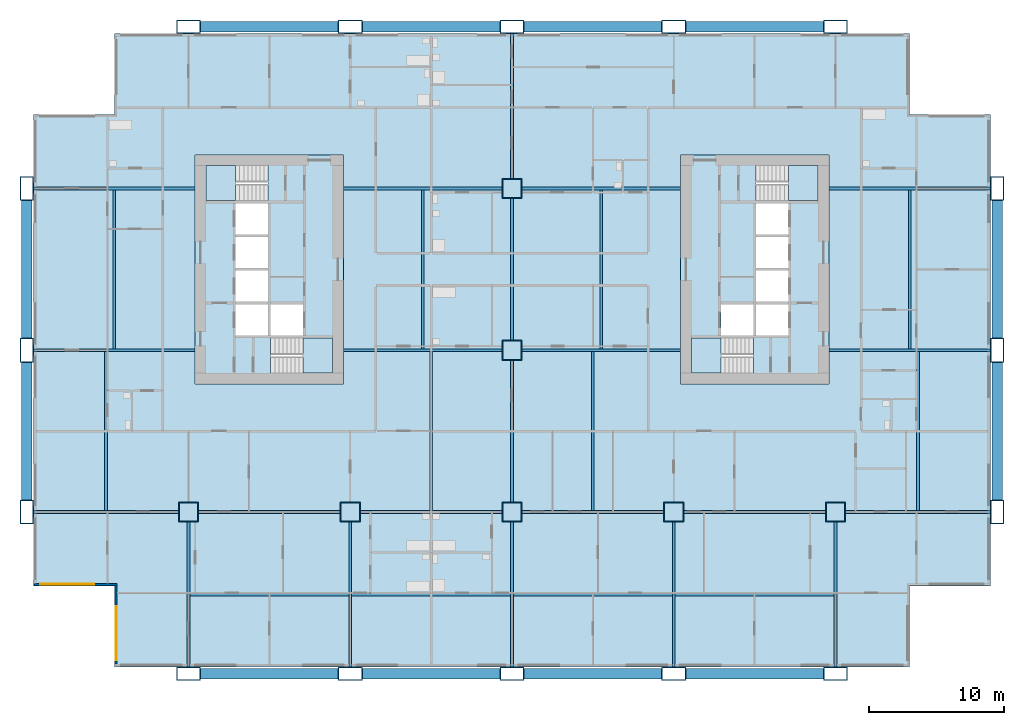
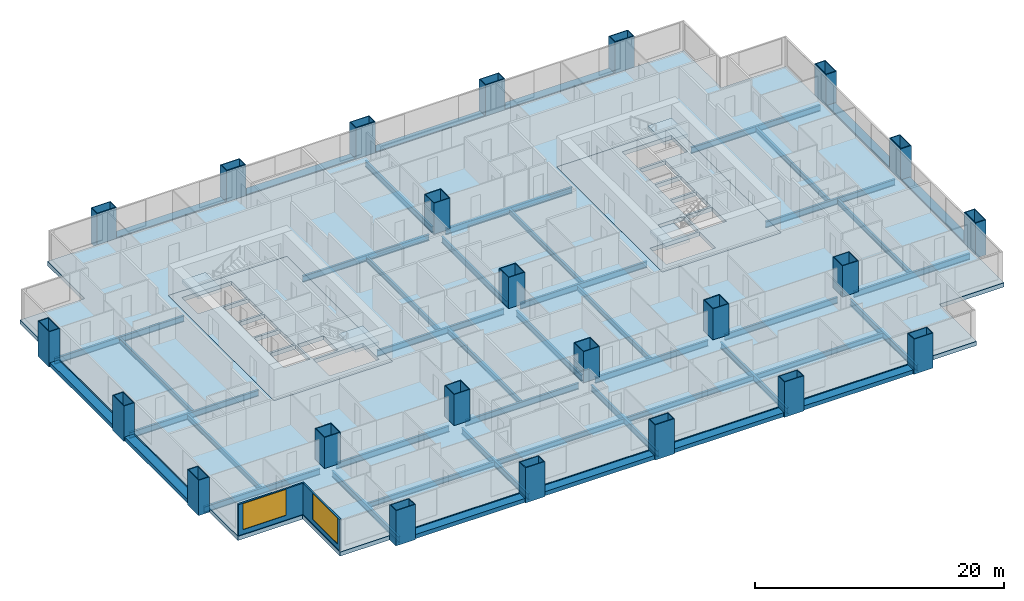
# One storey, part 1 of 13: 46 beams, 23 columns, 7 slabs, 2 walls, 2 windows, 2 openings, 4 elements without a shape of their own.
"""IFC4 building model written with IfcOpenShell, lengths in metres."""

import ifcopenshell
import ifcopenshell.guid

model = None  # the IFC model being written
_history = None  # IfcOwnerHistory: only IFC2X3 demands one
_inside = {}  # id of a spatial element -> (the spatial element, [elements in it])
_under = {}  # id of a project, library or spatial element -> (it, [spatial elements below it])
_declared = {}  # id of a project -> (the project, [libraries it declares])
_typed = {}  # id of a type object -> (the type object, [elements of that type])
_made_of = {}  # id of a material, layer set ... -> (it, [elements and type objects made of it])


def new_model(schema):
    """Start an empty IFC model of exactly this schema.

    Asked for "IFC4X3", IfcOpenShell would pick the latest addendum, in which some entities
    have other attributes; the version numbers below select the first issue.
    IFC2X3 requires an IfcOwnerHistory on every rooted entity: one is made here for all.
    """
    global model, _history
    if schema == "IFC4X3":
        model = ifcopenshell.file(schema_version=(4, 3, 0, 0))
    else:
        model = ifcopenshell.file(schema=schema)
    _inside.clear()
    _under.clear()
    _declared.clear()
    _typed.clear()
    _made_of.clear()
    _history = None
    if model.schema == "IFC2X3":
        org = make("IfcOrganization", Name="unknown")
        user = make(
            "IfcPersonAndOrganization",
            ThePerson=make("IfcPerson", FamilyName="unknown"),
            TheOrganization=org,
        )
        app = make(
            "IfcApplication",
            ApplicationDeveloper=org,
            Version="unknown",
            ApplicationFullName="unknown",
            ApplicationIdentifier="unknown",
        )
        _history = make(
            "IfcOwnerHistory",
            OwningUser=user,
            OwningApplication=app,
            ChangeAction="ADDED",
            CreationDate=0,
        )
    return model


def make(cls, **values):
    """One entity of the class cls with the attributes given. An attribute that is None is left unset."""
    return model.create_entity(
        cls, **{name: value for name, value in values.items() if value is not None}
    )


def rooted(cls, **values):
    """An entity with a GlobalId (a new one), such as an element, a storey or a relation."""
    return make(cls, GlobalId=ifcopenshell.guid.new(), OwnerHistory=_history, **values)


def si_unit(unit_type, name, prefix=None):
    """IfcSIUnit, for example si_unit("LENGTHUNIT", "METRE", prefix="MILLI")."""
    return make("IfcSIUnit", UnitType=unit_type, Prefix=prefix, Name=name)


def assignment(units):
    """IfcUnitAssignment: the units of a project."""
    return None if units is None else make("IfcUnitAssignment", Units=units)


def point(xyz):
    """IfcCartesianPoint."""
    return None if xyz is None else make("IfcCartesianPoint", Coordinates=xyz)


def direction(xyz):
    """IfcDirection."""
    return None if xyz is None else make("IfcDirection", DirectionRatios=xyz)


def frame(location, z_axis=None, x_axis=None):
    """IfcAxis2Placement3D, a coordinate frame: its origin and axes. An axis left out is left unset."""
    return make(
        "IfcAxis2Placement3D",
        Location=point(location),
        Axis=direction(z_axis),
        RefDirection=direction(x_axis),
    )


def frame_2d(location, x_axis=None):
    """IfcAxis2Placement2D, a coordinate frame in the plane: its origin and x axis."""
    return make(
        "IfcAxis2Placement2D", Location=point(location), RefDirection=direction(x_axis)
    )


def origin():
    """The frame at (0, 0, 0) with its axes left unset."""
    return frame((0.0, 0.0, 0.0))


def origin_2d():
    """The frame at (0, 0) in the plane with its x axis left unset."""
    return frame_2d((0.0, 0.0))


def place(relative_to, where):
    """IfcLocalPlacement: puts the frame where relative to a parent placement (None: the world)."""
    return make(
        "IfcLocalPlacement", PlacementRelTo=relative_to, RelativePlacement=where
    )


def context(
    kind, dimensions, precision=None, world=None, true_north=None, identifier=None
):
    """IfcGeometricRepresentationContext, for example the 3D "Model" context."""
    return make(
        "IfcGeometricRepresentationContext",
        ContextIdentifier=identifier,
        ContextType=kind,
        CoordinateSpaceDimension=dimensions,
        Precision=precision,
        WorldCoordinateSystem=world,
        TrueNorth=true_north,
    )


def subcontext(parent, identifier, kind, view, scale=None):
    """IfcGeometricRepresentationSubContext, for example "Body" below "Model"."""
    return make(
        "IfcGeometricRepresentationSubContext",
        ContextIdentifier=identifier,
        ContextType=kind,
        ParentContext=parent,
        TargetScale=scale,
        TargetView=view,
    )


def project(units=None, contexts=None):
    """IfcProject with its units and contexts."""
    return rooted(
        "IfcProject",
        Name="project",
        RepresentationContexts=contexts,
        UnitsInContext=assignment(units),
    )


def spatial(cls, under=None, at=None, **own):
    """A site, building, storey or space (cls), placed at a placement, below another one or the project."""
    s = rooted(cls, ObjectPlacement=at, **own)
    if under is not None:
        _under.setdefault(under.id(), (under, []))[1].append(s)
    return s


def polyline(points):
    """IfcPolyline through the points."""
    return make("IfcPolyline", Points=[point(p) for p in points])


def profile(cls, at=None, kind="AREA", **sizes):
    """A parametric profile (cls). Its sizes go by their IFC names, for example OverallWidth=200.0."""
    return make(cls, ProfileType=kind, Position=at, **sizes)


def rectangle(**sizes):
    """IfcRectangleProfileDef."""
    return profile("IfcRectangleProfileDef", **sizes)


def hollow_rectangle(**sizes):
    """IfcRectangleHollowProfileDef."""
    return profile("IfcRectangleHollowProfileDef", **sizes)


def i_section(**sizes):
    """IfcIShapeProfileDef."""
    return profile("IfcIShapeProfileDef", **sizes)


def outline(outer, holes=None, kind="AREA"):
    """IfcArbitraryClosedProfileDef: a profile drawn as a closed curve; with holes, ...WithVoids."""
    if holes is None:
        return make("IfcArbitraryClosedProfileDef", ProfileType=kind, OuterCurve=outer)
    return make(
        "IfcArbitraryProfileDefWithVoids",
        ProfileType=kind,
        OuterCurve=outer,
        InnerCurves=holes,
    )


def extrude(swept, where, along, depth):
    """IfcExtrudedAreaSolid: the profile swept, set in the frame where, extruded along a direction by depth."""
    return make(
        "IfcExtrudedAreaSolid",
        SweptArea=swept,
        Position=where,
        ExtrudedDirection=direction(along),
        Depth=depth,
    )


def shape(context_of_items, identifier, shape_type, items):
    """IfcShapeRepresentation: the items that make up one representation, for example the "Body"."""
    return make(
        "IfcShapeRepresentation",
        ContextOfItems=context_of_items,
        RepresentationIdentifier=identifier,
        RepresentationType=shape_type,
        Items=items,
    )


def material(Name=None, Category=None):
    """IfcMaterial."""
    return make("IfcMaterial", Name=Name, Category=Category)


def layer(
    of_material, thickness, ventilated=None, Name=None, Category=None, Priority=None
):
    """IfcMaterialLayer: one layer of a wall or slab, of a material (None: an air gap)."""
    return make(
        "IfcMaterialLayer",
        Material=of_material,
        LayerThickness=thickness,
        IsVentilated=ventilated,
        Name=Name,
        Category=Category,
        Priority=Priority,
    )


def layer_set(layers, Name=None):
    """IfcMaterialLayerSet."""
    return make("IfcMaterialLayerSet", MaterialLayers=layers, LayerSetName=Name)


def material_profile(
    of_material, cross_section, Name=None, Category=None, Priority=None
):
    """IfcMaterialProfile: a cross section and its material."""
    return make(
        "IfcMaterialProfile",
        Name=Name,
        Material=of_material,
        Profile=cross_section,
        Priority=Priority,
        Category=Category,
    )


def profile_set(profiles, Name=None, composite=None):
    """IfcMaterialProfileSet."""
    return make(
        "IfcMaterialProfileSet",
        Name=Name,
        MaterialProfiles=profiles,
        CompositeProfile=composite,
    )


def made_of(thing, what):
    """Note that an element or type object is made of a material, layer set ...; save() writes the relation."""
    if what is not None:
        _made_of.setdefault(what.id(), (what, []))[1].append(thing)
    return thing


def type_object(cls, material=None, **own):
    """A type object (cls), such as IfcWallType, which elements share."""
    return made_of(rooted(cls, **own), material)


def element(
    cls,
    number,
    at=None,
    inside=None,
    cuts=None,
    type_object=None,
    material=None,
    context=None,
    identifier="Body",
    shape_type=None,
    held_by="IfcProductDefinitionShape",
    body=None,
    shapes=None,
    **own,
):
    """One element of the class cls, such as IfcWall. Its Tag is "e" and its number.

    at: its placement. inside: the storey or other place that contains it. cuts: it is an
    opening in that element (IfcRelVoidsElement). A single representation is given by context,
    identifier, shape_type and body (its items); several are given by shapes. held_by: the class
    of the entity that holds the representations. save() writes the other relations.
    """
    e = rooted(cls, Tag="e%d" % number, ObjectPlacement=at, **own)
    if body is not None:
        shapes = [shape(context, identifier, shape_type, body)]
    if shapes is not None:
        e.Representation = make(held_by, Representations=shapes)
    if inside is not None:
        _inside.setdefault(inside.id(), (inside, []))[1].append(e)
    if cuts is not None:
        rooted(
            "IfcRelVoidsElement", RelatingBuildingElement=cuts, RelatedOpeningElement=e
        )
    if type_object is not None:
        _typed.setdefault(type_object.id(), (type_object, []))[1].append(e)
    return made_of(e, material)


def fill(opening, filler):
    """IfcRelFillsElement: the door or window that sits in an opening."""
    return rooted(
        "IfcRelFillsElement",
        RelatingOpeningElement=opening,
        RelatedBuildingElement=filler,
    )


def aggregate(whole, parts):
    """IfcRelAggregates: a whole, such as a stair, and the parts it consists of."""
    return rooted("IfcRelAggregates", RelatingObject=whole, RelatedObjects=parts)


def save(model, path):
    """Write the relations noted so far, then the file.

    IfcRelAggregates (storeys below a building ...), IfcRelContainedInSpatialStructure (elements
    in a storey), IfcRelDefinesByType, IfcRelAssociatesMaterial and IfcRelDeclares: one each for
    every whole, place, type object, material and project.
    """
    for whole, parts in _under.values():
        aggregate(whole, parts)
    for where, things in _inside.values():
        rooted(
            "IfcRelContainedInSpatialStructure",
            RelatedElements=things,
            RelatingStructure=where,
        )
    for kind, things in _typed.values():
        rooted("IfcRelDefinesByType", RelatedObjects=things, RelatingType=kind)
    for what, things in _made_of.values():
        rooted("IfcRelAssociatesMaterial", RelatedObjects=things, RelatingMaterial=what)
    for by, libraries in _declared.values():
        rooted("IfcRelDeclares", RelatingContext=by, RelatedDefinitions=libraries)
    model.write(path)


model = new_model("IFC4")

# Units and contexts
model_context = context("Model", 3, precision=1e-05, world=origin(), true_north=direction((0.0, 1.0)))
body_context = subcontext(model_context, "Body", "Model", "MODEL_VIEW")
ifc_project = project(units=[si_unit("LENGTHUNIT", "METRE"), si_unit("AREAUNIT", "SQUARE_METRE"), si_unit("VOLUMEUNIT", "CUBIC_METRE"), si_unit("PLANEANGLEUNIT", "RADIAN"), si_unit("MASSUNIT", "GRAM", prefix="KILO")], contexts=[model_context])

# Site, building, storey
site_placement = place(None, origin())
site = spatial("IfcSite", under=ifc_project, at=site_placement, CompositionType="ELEMENT")
building_placement = place(site_placement, origin())
building = spatial("IfcBuilding", under=site, at=building_placement, Name="Kitamizu Gate Tower and Museum", CompositionType="ELEMENT")
storey_placement = place(building_placement, frame((0.0, 0.0, 40.35009765625)))
storey = spatial("IfcBuildingStorey", under=building, at=storey_placement, Name="L08", CompositionType="ELEMENT", Elevation=40.35009765625)

# Columns
ifc_material_1 = material(Name="Steel SM490A bronze coated", Category="steel")
ifc_material_profile_1 = material_profile(ifc_material_1, hollow_rectangle(XDim=1.800048828125, YDim=1.0, WallThickness=0.070068359375, at=origin_2d()), Name="BOX 1800x1000x70")
ifc_profile_set_1 = profile_set([ifc_material_profile_1], Name="Steel SM490A bronze coated")
column_type_1 = type_object("IfcColumnType", Name="Exoskeleton column XC2 BOX 1800x1000x70", PredefinedType="COLUMN", material=ifc_profile_set_1)
for number, where, z_axis, x_axis, name in (
    (1, (0.0, 12.0, -0.400146484375), (0.0, 0.0, 1.0), (0.0, 1.0, 0.0), "Column XC2 1B L08"),
    (2, (0.0, 24.0, -0.400146484375), (0.0, 0.0, 1.0), (0.0, 1.0, 0.0), "Column XC2 1C L08"),
    (3, (0.0, 36.0, -0.400146484375), (0.0, 0.0, 1.0), (0.0, 1.0, 0.0), "Column XC2 1D L08"),
    (4, (12.0, 0.0, -0.400146484375), (0.0, 0.0, 1.0), (1.0, 0.0, 0.0), "Column XC2 2A L08"),
    (5, (12.0, 48.0, -0.400146484375), (0.0, 0.0, 1.0), (1.0, 0.0, 0.0), "Column XC2 2E L08"),
    (6, (24.0, 0.0, -0.400146484375), (0.0, 0.0, 1.0), (1.0, 0.0, 0.0), "Column XC2 3A L08"),
    (7, (24.0, 48.0, -0.400146484375), (0.0, 0.0, 1.0), (1.0, 0.0, 0.0), "Column XC2 3E L08"),
    (8, (36.0, 0.0, -0.400146484375), (0.0, 0.0, 1.0), (1.0, 0.0, 0.0), "Column XC2 4A L08"),
    (9, (36.0, 48.0, -0.400146484375), (0.0, 0.0, 1.0), (1.0, 0.0, 0.0), "Column XC2 4E L08"),
    (10, (48.0, 0.0, -0.400146484375), (0.0, 0.0, 1.0), (1.0, 0.0, 0.0), "Column XC2 5A L08"),
    (11, (48.0, 48.0, -0.400146484375), (0.0, 0.0, 1.0), (1.0, 0.0, 0.0), "Column XC2 5E L08"),
    (12, (60.0, 0.0, -0.400146484375), (0.0, 0.0, 1.0), (1.0, 0.0, 0.0), "Column XC2 6A L08"),
    (13, (60.0, 48.0, -0.400146484375), (0.0, 0.0, 1.0), (1.0, 0.0, 0.0), "Column XC2 6E L08"),
    (14, (72.0, 12.0, -0.400146484375), (0.0, 0.0, 1.0), (0.0, 1.0, 0.0), "Column XC2 7B L08"),
    (15, (72.0, 24.0, -0.400146484375), (0.0, 0.0, 1.0), (0.0, 1.0, 0.0), "Column XC2 7C L08"),
    (16, (72.0, 36.0, -0.400146484375), (0.0, 0.0, 1.0), (0.0, 1.0, 0.0), "Column XC2 7D L08"),
):
    element("IfcColumn", number, at=place(storey_placement, frame(where, z_axis=z_axis, x_axis=x_axis)), inside=storey, type_object=column_type_1, Name=name, PredefinedType="COLUMN", context=body_context, shape_type="SweptSolid", body=[
        extrude(hollow_rectangle(XDim=1.800048828125, YDim=1.0, WallThickness=0.070068359375, at=origin_2d()), origin(), (0.0, 0.0, 1.0), 3.449951171875),
    ])
ifc_material_2 = material(Name="Steel SM490A", Category="steel")
ifc_material_profile_2 = material_profile(ifc_material_2, hollow_rectangle(XDim=1.5, YDim=1.5, WallThickness=0.06494140625, at=origin_2d()), Name="BOX 1500x1500x65")
ifc_profile_set_2 = profile_set([ifc_material_profile_2], Name="Steel SM490A")
column_type_2 = type_object("IfcColumnType", Name="Interior column IC2 BOX 1500x1500x65", PredefinedType="COLUMN", material=ifc_profile_set_2)
for number, where, z_axis, x_axis, name in (
    (17, (12.0, 12.0, 0.0), (0.0, 0.0, 1.0), (1.0, 0.0, 0.0), "Column IC2 2B L08"),
    (18, (24.0, 12.0, 0.0), (0.0, 0.0, 1.0), (1.0, 0.0, 0.0), "Column IC2 3B L08"),
    (19, (36.0, 12.0, 0.0), (0.0, 0.0, 1.0), (1.0, 0.0, 0.0), "Column IC2 4B L08"),
    (20, (36.0, 24.0, 0.0), (0.0, 0.0, 1.0), (1.0, 0.0, 0.0), "Column IC2 4C L08"),
    (21, (36.0, 36.0, 0.0), (0.0, 0.0, 1.0), (1.0, 0.0, 0.0), "Column IC2 4D L08"),
    (22, (48.0, 12.0, 0.0), (0.0, 0.0, 1.0), (1.0, 0.0, 0.0), "Column IC2 5B L08"),
    (23, (60.0, 12.0, 0.0), (0.0, 0.0, 1.0), (1.0, 0.0, 0.0), "Column IC2 6B L08"),
):
    element("IfcColumn", number, at=place(storey_placement, frame(where, z_axis=z_axis, x_axis=x_axis)), inside=storey, type_object=column_type_2, Name=name, PredefinedType="COLUMN", context=body_context, shape_type="SweptSolid", body=[
        extrude(hollow_rectangle(XDim=1.5, YDim=1.5, WallThickness=0.06494140625, at=origin_2d()), origin(), (0.0, 0.0, 1.0), 3.0498046875),
    ])

# Beams
ifc_material_3 = material(Name="Steel SM490A bronze coated", Category="steel")
ifc_material_profile_3 = material_profile(ifc_material_3, hollow_rectangle(XDim=0.800048828125, YDim=0.39990234375, WallThickness=0.0400390625, at=origin_2d()), Name="BOX 800x400x40")
ifc_profile_set_3 = profile_set([ifc_material_profile_3], Name="Steel SM490A bronze coated")
beam_type_1 = type_object("IfcBeamType", Name="Exoskeleton spandrel beam SB1 BOX 800x400x40", PredefinedType="SPANDREL", material=ifc_profile_set_3)
for number, where, z_axis, x_axis, name in (
    (24, (12.89990234375, 0.0, -0.2001953125), (1.0, 0.0, 0.0), (0.0, 1.0, 0.0), "Exoskeleton spandrel beam south 12 L08"),
    (25, (24.89990234375, 0.0, -0.2001953125), (1.0, 0.0, 0.0), (0.0, 1.0, 0.0), "Exoskeleton spandrel beam south 24 L08"),
    (26, (36.89990234375, 0.0, -0.2001953125), (1.0, 0.0, 0.0), (0.0, 1.0, 0.0), "Exoskeleton spandrel beam south 36 L08"),
    (27, (48.89990234375, 0.0, -0.2001953125), (1.0, 0.0, 0.0), (0.0, 1.0, 0.0), "Exoskeleton spandrel beam south 48 L08"),
    (28, (12.89990234375, 48.0, -0.2001953125), (1.0, 0.0, 0.0), (0.0, 1.0, 0.0), "Exoskeleton spandrel beam north 12 L08"),
    (29, (24.89990234375, 48.0, -0.2001953125), (1.0, 0.0, 0.0), (0.0, 1.0, 0.0), "Exoskeleton spandrel beam north 24 L08"),
    (30, (36.89990234375, 48.0, -0.2001953125), (1.0, 0.0, 0.0), (0.0, 1.0, 0.0), "Exoskeleton spandrel beam north 36 L08"),
    (31, (48.89990234375, 48.0, -0.2001953125), (1.0, 0.0, 0.0), (0.0, 1.0, 0.0), "Exoskeleton spandrel beam north 48 L08"),
    (32, (0.0, 12.89990234375, -0.2001953125), (0.0, 1.0, 0.0), (-1.0, 0.0, 0.0), "Exoskeleton spandrel beam west 12 L08"),
    (33, (0.0, 24.89990234375, -0.2001953125), (0.0, 1.0, 0.0), (-1.0, 0.0, 0.0), "Exoskeleton spandrel beam west 24 L08"),
    (34, (72.0, 12.89990234375, -0.2001953125), (0.0, 1.0, 0.0), (-1.0, 0.0, 0.0), "Exoskeleton spandrel beam east 12 L08"),
    (35, (72.0, 24.89990234375, -0.2001953125), (0.0, 1.0, 0.0), (-1.0, 0.0, 0.0), "Exoskeleton spandrel beam east 24 L08"),
):
    element("IfcBeam", number, at=place(storey_placement, frame(where, z_axis=z_axis, x_axis=x_axis)), inside=storey, type_object=beam_type_1, Name=name, PredefinedType="SPANDREL", context=body_context, shape_type="SweptSolid", body=[
        extrude(hollow_rectangle(XDim=0.800048828125, YDim=0.39990234375, WallThickness=0.0400390625, at=origin_2d()), origin(), (0.0, 0.0, 1.0), 10.2001953125),
    ])
ifc_material_4 = material(Name="Steel SM490A", Category="steel")
ifc_material_profile_4 = material_profile(ifc_material_4, i_section(OverallWidth=0.199951171875, OverallDepth=0.5, WebThickness=0.010009765625, FlangeThickness=0.01611328125, FilletRadius=0.02001953125, at=origin_2d()), Name="H-500x200x10x16")
ifc_profile_set_4 = profile_set([ifc_material_profile_4], Name="Steel SM490A")
beam_type_2 = type_object("IfcBeamType", Name="Floor beam FB1 H 500x200x10x16", PredefinedType="BEAM", material=ifc_profile_set_4)
for number, where, z_axis, x_axis, name in (
    (36, (12.10009765625, 5.875, -0.650146484375), (1.0, 0.0, 0.0), (0.0, 1.0, 0.0), "Floor beam FB1 L08-1"),
    (37, (24.10009765625, 5.875, -0.650146484375), (1.0, 0.0, 0.0), (0.0, 1.0, 0.0), "Floor beam FB1 L08-2"),
    (38, (36.10009765625, 5.875, -0.650146484375), (1.0, 0.0, 0.0), (0.0, 1.0, 0.0), "Floor beam FB1 L08-3"),
    (39, (48.10009765625, 5.875, -0.650146484375), (1.0, 0.0, 0.0), (0.0, 1.0, 0.0), "Floor beam FB1 L08-4"),
    (40, (5.875, 12.10009765625, -0.650146484375), (0.0, 1.0, 0.0), (-1.0, 0.0, 0.0), "Floor beam FB1 L08-5"),
    (41, (30.0, 12.10009765625, -0.650146484375), (0.0, 1.0, 0.0), (-1.0, 0.0, 0.0), "Floor beam FB1 L08-6"),
    (42, (42.0, 12.10009765625, -0.650146484375), (0.0, 1.0, 0.0), (-1.0, 0.0, 0.0), "Floor beam FB1 L08-7"),
    (43, (66.125, 12.10009765625, -0.650146484375), (0.0, 1.0, 0.0), (-1.0, 0.0, 0.0), "Floor beam FB1 L08-8"),
    (44, (6.5, 24.10009765625, -0.650146484375), (0.0, 1.0, 0.0), (-1.0, 0.0, 0.0), "Floor beam FB1 L08-9"),
    (45, (29.375, 24.10009765625, -0.650146484375), (0.0, 1.0, 0.0), (-1.0, 0.0, 0.0), "Floor beam FB1 L08-10"),
    (46, (42.625, 24.10009765625, -0.650146484375), (0.0, 1.0, 0.0), (-1.0, 0.0, 0.0), "Floor beam FB1 L08-11"),
    (47, (65.5, 24.10009765625, -0.650146484375), (0.0, 1.0, 0.0), (-1.0, 0.0, 0.0), "Floor beam FB1 L08-12"),
):
    element("IfcBeam", number, at=place(storey_placement, frame(where, z_axis=z_axis, x_axis=x_axis)), inside=storey, type_object=beam_type_2, Name=name, PredefinedType="BEAM", context=body_context, shape_type="SweptSolid", body=[
        extrude(i_section(OverallWidth=0.199951171875, OverallDepth=0.5, WebThickness=0.010009765625, FlangeThickness=0.01611328125, FilletRadius=0.02001953125, at=origin_2d()), origin(), (0.0, 0.0, 1.0), 11.7998046875),
    ])
ifc_material_5 = material(Name="Steel SM490A", Category="steel")
ifc_material_profile_5 = material_profile(ifc_material_5, i_section(OverallWidth=0.199951171875, OverallDepth=0.60009765625, WebThickness=0.010986328125, FlangeThickness=0.01708984375, FilletRadius=0.02197265625, at=origin_2d()), Name="H-600x200x11x17")
ifc_profile_set_5 = profile_set([ifc_material_profile_5], Name="Steel SM490A")
beam_type_3 = type_object("IfcBeamType", Name="Floor girder FG1 H 600x200x11x17", PredefinedType="BEAM", material=ifc_profile_set_5)
for number, where, z_axis, x_axis, name in (
    (48, (12.0, 0.5, -0.7001953125), (0.0, 1.0, 0.0), (-1.0, 0.0, 0.0), "Floor girder FG1 x12 L08"),
    (49, (24.0, 0.5, -0.7001953125), (0.0, 1.0, 0.0), (-1.0, 0.0, 0.0), "Floor girder FG1 x24 L08"),
    (50, (36.0, 0.5, -0.7001953125), (0.0, 1.0, 0.0), (-1.0, 0.0, 0.0), "Floor girder FG1 x36 L08"),
):
    element("IfcBeam", number, at=place(storey_placement, frame(where, z_axis=z_axis, x_axis=x_axis)), inside=storey, type_object=beam_type_3, Name=name, PredefinedType="BEAM", context=body_context, shape_type="SweptSolid", body=[
        extrude(i_section(OverallWidth=0.199951171875, OverallDepth=0.60009765625, WebThickness=0.010986328125, FlangeThickness=0.01708984375, FilletRadius=0.02197265625, at=origin_2d()), origin(), (0.0, 0.0, 1.0), 10.75),
    ])
for number, where, z_axis, x_axis, name in (
    (51, (36.0, 12.75, -0.7001953125), (0.0, 1.0, 0.0), (-1.0, 0.0, 0.0), "Floor girder FG1 x36 L08"),
    (52, (36.0, 24.75, -0.7001953125), (0.0, 1.0, 0.0), (-1.0, 0.0, 0.0), "Floor girder FG1 x36 L08"),
):
    element("IfcBeam", number, at=place(storey_placement, frame(where, z_axis=z_axis, x_axis=x_axis)), inside=storey, type_object=beam_type_3, Name=name, PredefinedType="BEAM", context=body_context, shape_type="SweptSolid", body=[
        extrude(i_section(OverallWidth=0.199951171875, OverallDepth=0.60009765625, WebThickness=0.010986328125, FlangeThickness=0.01708984375, FilletRadius=0.02197265625, at=origin_2d()), origin(), (0.0, 0.0, 1.0), 10.5),
    ])
for number, where, z_axis, x_axis, name in (
    (53, (36.0, 36.75, -0.7001953125), (0.0, 1.0, 0.0), (-1.0, 0.0, 0.0), "Floor girder FG1 x36 L08"),
    (54, (48.0, 0.5, -0.7001953125), (0.0, 1.0, 0.0), (-1.0, 0.0, 0.0), "Floor girder FG1 x48 L08"),
    (55, (60.0, 0.5, -0.7001953125), (0.0, 1.0, 0.0), (-1.0, 0.0, 0.0), "Floor girder FG1 x60 L08"),
    (56, (0.5, 12.0, -0.7001953125), (1.0, 0.0, 0.0), (0.0, 1.0, 0.0), "Floor girder FG1 y12 L08"),
):
    element("IfcBeam", number, at=place(storey_placement, frame(where, z_axis=z_axis, x_axis=x_axis)), inside=storey, type_object=beam_type_3, Name=name, PredefinedType="BEAM", context=body_context, shape_type="SweptSolid", body=[
        extrude(i_section(OverallWidth=0.199951171875, OverallDepth=0.60009765625, WebThickness=0.010986328125, FlangeThickness=0.01708984375, FilletRadius=0.02197265625, at=origin_2d()), origin(), (0.0, 0.0, 1.0), 10.75),
    ])
for number, where, z_axis, x_axis, name in (
    (57, (12.75, 12.0, -0.7001953125), (1.0, 0.0, 0.0), (0.0, 1.0, 0.0), "Floor girder FG1 y12 L08"),
    (58, (24.75, 12.0, -0.7001953125), (1.0, 0.0, 0.0), (0.0, 1.0, 0.0), "Floor girder FG1 y12 L08"),
    (59, (36.75, 12.0, -0.7001953125), (1.0, 0.0, 0.0), (0.0, 1.0, 0.0), "Floor girder FG1 y12 L08"),
    (60, (48.75, 12.0, -0.7001953125), (1.0, 0.0, 0.0), (0.0, 1.0, 0.0), "Floor girder FG1 y12 L08"),
):
    element("IfcBeam", number, at=place(storey_placement, frame(where, z_axis=z_axis, x_axis=x_axis)), inside=storey, type_object=beam_type_3, Name=name, PredefinedType="BEAM", context=body_context, shape_type="SweptSolid", body=[
        extrude(i_section(OverallWidth=0.199951171875, OverallDepth=0.60009765625, WebThickness=0.010986328125, FlangeThickness=0.01708984375, FilletRadius=0.02197265625, at=origin_2d()), origin(), (0.0, 0.0, 1.0), 10.5),
    ])
beam_1_placement = place(storey_placement, frame((60.75, 12.0, -0.7001953125), z_axis=(1.0, 0.0, 0.0), x_axis=(0.0, 1.0, 0.0)))
element("IfcBeam", 61, at=beam_1_placement, inside=storey, type_object=beam_type_3, Name="Floor girder FG1 y12 L08", PredefinedType="BEAM", context=body_context, shape_type="SweptSolid", body=[
    extrude(i_section(OverallWidth=0.199951171875, OverallDepth=0.60009765625, WebThickness=0.010986328125, FlangeThickness=0.01708984375, FilletRadius=0.02197265625, at=origin_2d()), origin(), (0.0, 0.0, 1.0), 10.75),
])
beam_2_placement = place(storey_placement, frame((0.5, 24.0, -0.7001953125), z_axis=(1.0, 0.0, 0.0), x_axis=(0.0, 1.0, 0.0)))
element("IfcBeam", 62, at=beam_2_placement, inside=storey, type_object=beam_type_3, Name="Floor girder FG1 y24 L08", PredefinedType="BEAM", context=body_context, shape_type="SweptSolid", body=[
    extrude(i_section(OverallWidth=0.199951171875, OverallDepth=0.60009765625, WebThickness=0.010986328125, FlangeThickness=0.01708984375, FilletRadius=0.02197265625, at=origin_2d()), origin(), (0.0, 0.0, 1.0), 12.0),
])
for number, where, z_axis, x_axis, name in (
    (63, (23.5, 24.0, -0.7001953125), (1.0, 0.0, 0.0), (0.0, 1.0, 0.0), "Floor girder FG1 y24 L08"),
    (64, (36.75, 24.0, -0.7001953125), (1.0, 0.0, 0.0), (0.0, 1.0, 0.0), "Floor girder FG1 y24 L08"),
):
    element("IfcBeam", number, at=place(storey_placement, frame(where, z_axis=z_axis, x_axis=x_axis)), inside=storey, type_object=beam_type_3, Name=name, PredefinedType="BEAM", context=body_context, shape_type="SweptSolid", body=[
        extrude(i_section(OverallWidth=0.199951171875, OverallDepth=0.60009765625, WebThickness=0.010986328125, FlangeThickness=0.01708984375, FilletRadius=0.02197265625, at=origin_2d()), origin(), (0.0, 0.0, 1.0), 11.75),
    ])
for number, where, z_axis, x_axis, name in (
    (65, (59.5, 24.0, -0.7001953125), (1.0, 0.0, 0.0), (0.0, 1.0, 0.0), "Floor girder FG1 y24 L08"),
    (66, (0.5, 36.0, -0.7001953125), (1.0, 0.0, 0.0), (0.0, 1.0, 0.0), "Floor girder FG1 y36 L08"),
):
    element("IfcBeam", number, at=place(storey_placement, frame(where, z_axis=z_axis, x_axis=x_axis)), inside=storey, type_object=beam_type_3, Name=name, PredefinedType="BEAM", context=body_context, shape_type="SweptSolid", body=[
        extrude(i_section(OverallWidth=0.199951171875, OverallDepth=0.60009765625, WebThickness=0.010986328125, FlangeThickness=0.01708984375, FilletRadius=0.02197265625, at=origin_2d()), origin(), (0.0, 0.0, 1.0), 12.0),
    ])
for number, where, z_axis, x_axis, name in (
    (67, (23.5, 36.0, -0.7001953125), (1.0, 0.0, 0.0), (0.0, 1.0, 0.0), "Floor girder FG1 y36 L08"),
    (68, (36.75, 36.0, -0.7001953125), (1.0, 0.0, 0.0), (0.0, 1.0, 0.0), "Floor girder FG1 y36 L08"),
):
    element("IfcBeam", number, at=place(storey_placement, frame(where, z_axis=z_axis, x_axis=x_axis)), inside=storey, type_object=beam_type_3, Name=name, PredefinedType="BEAM", context=body_context, shape_type="SweptSolid", body=[
        extrude(i_section(OverallWidth=0.199951171875, OverallDepth=0.60009765625, WebThickness=0.010986328125, FlangeThickness=0.01708984375, FilletRadius=0.02197265625, at=origin_2d()), origin(), (0.0, 0.0, 1.0), 11.75),
    ])
beam_3_placement = place(storey_placement, frame((59.5, 36.0, -0.7001953125), z_axis=(1.0, 0.0, 0.0), x_axis=(0.0, 1.0, 0.0)))
element("IfcBeam", 69, at=beam_3_placement, inside=storey, type_object=beam_type_3, Name="Floor girder FG1 y36 L08", PredefinedType="BEAM", context=body_context, shape_type="SweptSolid", body=[
    extrude(i_section(OverallWidth=0.199951171875, OverallDepth=0.60009765625, WebThickness=0.010986328125, FlangeThickness=0.01708984375, FilletRadius=0.02197265625, at=origin_2d()), origin(), (0.0, 0.0, 1.0), 12.0),
])

# Slabs
ifc_material_6 = material(Name="Concrete Fc36", Category="concrete")
ifc_layer_1 = layer(ifc_material_6, 0.39990234375)
ifc_layer_set_1 = layer_set([ifc_layer_1], Name="Concrete Fc36")
slab_type_1 = type_object("IfcSlabType", Name="Core floor slab 400", PredefinedType="FLOOR", material=ifc_layer_set_1)
slab_1_placement = place(storey_placement, frame((0.0, 0.0, -0.400146484375)))
element("IfcSlab", 70, at=slab_1_placement, inside=storey, type_object=slab_type_1, Name="Core floor slab W", PredefinedType="FLOOR", context=body_context, shape_type="SweptSolid", body=[
    extrude(outline(polyline([(12.5, 21.5), (23.5, 21.5), (23.5, 38.5), (12.5, 38.5), (12.5, 21.5)]), holes=[polyline([(15.5, 25.10009765625), (17.89990234375, 25.10009765625), (17.89990234375, 27.39990234375), (15.5, 27.39990234375), (15.5, 25.10009765625)]), polyline([(15.5, 27.60009765625), (17.89990234375, 27.60009765625), (17.89990234375, 29.89990234375), (15.5, 29.89990234375), (15.5, 27.60009765625)]), polyline([(15.5, 30.10009765625), (17.89990234375, 30.10009765625), (17.89990234375, 32.39990234375), (15.5, 32.39990234375), (15.5, 30.10009765625)]), polyline([(15.5, 32.60009765625), (17.89990234375, 32.60009765625), (17.89990234375, 34.89990234375), (15.5, 34.89990234375), (15.5, 32.60009765625)]), polyline([(18.10009765625, 25.10009765625), (20.5, 25.10009765625), (20.5, 27.39990234375), (18.10009765625, 27.39990234375), (18.10009765625, 25.10009765625)]), polyline([(18.1005859375, 22.300048828125), (22.699951171875, 22.300048828125), (22.699951171875, 24.89990234375), (18.1005859375, 24.89990234375), (18.1005859375, 22.300048828125)]), polyline([(13.300048828125, 35.10009765625), (17.8994140625, 35.10009765625), (17.8994140625, 37.699951171875), (13.300048828125, 37.699951171875), (13.300048828125, 35.10009765625)])]), origin(), (0.0, 0.0, 1.0), 0.400146484375),
])
slab_2_placement = place(storey_placement, frame((0.0, 0.0, -0.400146484375)))
element("IfcSlab", 71, at=slab_2_placement, inside=storey, type_object=slab_type_1, Name="Core floor slab E", PredefinedType="FLOOR", context=body_context, shape_type="SweptSolid", body=[
    extrude(outline(polyline([(48.5, 21.5), (59.5, 21.5), (59.5, 38.5), (48.5, 38.5), (48.5, 21.5)]), holes=[polyline([(54.10009765625, 25.10009765625), (56.5, 25.10009765625), (56.5, 27.39990234375), (54.10009765625, 27.39990234375), (54.10009765625, 25.10009765625)]), polyline([(54.10009765625, 27.60009765625), (56.5, 27.60009765625), (56.5, 29.89990234375), (54.10009765625, 29.89990234375), (54.10009765625, 27.60009765625)]), polyline([(54.10009765625, 30.10009765625), (56.5, 30.10009765625), (56.5, 32.39990234375), (54.10009765625, 32.39990234375), (54.10009765625, 30.10009765625)]), polyline([(54.10009765625, 32.60009765625), (56.5, 32.60009765625), (56.5, 34.89990234375), (54.10009765625, 34.89990234375), (54.10009765625, 32.60009765625)]), polyline([(51.5, 25.10009765625), (53.89990234375, 25.10009765625), (53.89990234375, 27.39990234375), (51.5, 27.39990234375), (51.5, 25.10009765625)]), polyline([(49.300048828125, 22.300048828125), (53.8994140625, 22.300048828125), (53.8994140625, 24.89990234375), (49.300048828125, 24.89990234375), (49.300048828125, 22.300048828125)]), polyline([(54.1005859375, 35.10009765625), (58.699951171875, 35.10009765625), (58.699951171875, 37.699951171875), (54.1005859375, 37.699951171875), (54.1005859375, 35.10009765625)])]), origin(), (0.0, 0.0, 1.0), 0.400146484375),
])
ifc_material_7 = material(Name="Concrete Fc36", Category="concrete")
ifc_layer_2 = layer(ifc_material_7, 0.39990234375)
ifc_layer_set_2 = layer_set([ifc_layer_2], Name="Concrete Fc36")
slab_type_2 = type_object("IfcSlabType", Name="Post tensioned flat slab 400", PredefinedType="FLOOR", material=ifc_layer_set_2)
slab_3_placement = place(storey_placement, frame((0.0, 0.0, -0.400146484375)))
element("IfcSlab", 72, at=slab_3_placement, inside=storey, type_object=slab_type_2, Name="Floor slab L08-1", PredefinedType="FLOOR", context=body_context, shape_type="SweptSolid", body=[
    extrude(outline(polyline([(0.5, 6.5), (0.5, 41.5), (6.5, 41.5), (6.5, 47.5), (65.5, 47.5), (65.5, 41.5), (71.5, 41.5), (71.5, 6.5), (65.5, 6.5), (65.5, 0.5), (6.5, 0.5), (6.5, 6.5), (0.5, 6.5)]), holes=[polyline([(59.5, 38.5), (48.5, 38.5), (48.5, 21.5), (59.5, 21.5), (59.5, 38.5)]), polyline([(12.5, 38.5), (12.5, 21.5), (23.5, 21.5), (23.5, 38.5), (12.5, 38.5)])]), origin(), (0.0, 0.0, 1.0), 0.400146484375),
])

# Stair, slab
ifc_material_8 = material(Name="Concrete Fc42", Category="concrete")
stair_type = type_object("IfcStairType", Name="Exit stair 1200 wide 192 rise 300 going", PredefinedType="HALF_TURN_STAIR", material=ifc_material_8)
stair_1_placement = place(storey_placement, origin())
stair_1 = element("IfcStair", 73, at=stair_1_placement, inside=storey, type_object=stair_type, Name="Exit stair ST1", PredefinedType="HALF_TURN_STAIR")
ifc_material_9 = material(Name="Concrete Fc42", Category="concrete")
ifc_layer_3 = layer(ifc_material_9, 0.300048828125)
ifc_layer_set_3 = layer_set([ifc_layer_3], Name="Concrete Fc42")
slab_type_3 = type_object("IfcSlabType", Name="Stair landing 300", PredefinedType="LANDING", material=ifc_layer_set_3)
slab_4_placement = place(storey_placement, frame((0.0, 0.0, 1.4248046875)))
slab_4 = element("IfcSlab", 74, at=slab_4_placement, type_object=slab_type_3, Name="ST1 landing 1", PredefinedType="LANDING", context=body_context, shape_type="SweptSolid", body=[
    extrude(outline(polyline([(20.5, 22.300048828125), (22.699951171875, 22.300048828125), (22.699951171875, 24.89990234375), (20.5, 24.89990234375), (20.5, 22.300048828125)])), origin(), (0.0, 0.0, 1.0), 0.300048828125),
])
aggregate(stair_1, [slab_4])

stair_2_placement = place(storey_placement, origin())
stair_2 = element("IfcStair", 75, at=stair_2_placement, inside=storey, type_object=stair_type, Name="Exit stair ST2", PredefinedType="HALF_TURN_STAIR")
slab_5_placement = place(storey_placement, frame((0.0, 0.0, 1.4248046875)))
slab_5 = element("IfcSlab", 76, at=slab_5_placement, type_object=slab_type_3, Name="ST2 landing 1", PredefinedType="LANDING", context=body_context, shape_type="SweptSolid", body=[
    extrude(outline(polyline([(13.300048828125, 35.10009765625), (15.5, 35.10009765625), (15.5, 37.699951171875), (13.300048828125, 37.699951171875), (13.300048828125, 35.10009765625)])), origin(), (0.0, 0.0, 1.0), 0.300048828125),
])
aggregate(stair_2, [slab_5])

stair_3_placement = place(storey_placement, origin())
stair_3 = element("IfcStair", 77, at=stair_3_placement, inside=storey, type_object=stair_type, Name="Exit stair ST3", PredefinedType="HALF_TURN_STAIR")
slab_6_placement = place(storey_placement, frame((0.0, 0.0, 1.4248046875)))
slab_6 = element("IfcSlab", 78, at=slab_6_placement, type_object=slab_type_3, Name="ST3 landing 1", PredefinedType="LANDING", context=body_context, shape_type="SweptSolid", body=[
    extrude(outline(polyline([(49.300048828125, 22.300048828125), (51.5, 22.300048828125), (51.5, 24.89990234375), (49.300048828125, 24.89990234375), (49.300048828125, 22.300048828125)])), origin(), (0.0, 0.0, 1.0), 0.300048828125),
])
aggregate(stair_3, [slab_6])

stair_4_placement = place(storey_placement, origin())
stair_4 = element("IfcStair", 79, at=stair_4_placement, inside=storey, type_object=stair_type, Name="Exit stair ST4", PredefinedType="HALF_TURN_STAIR")
slab_7_placement = place(storey_placement, frame((0.0, 0.0, 1.4248046875)))
slab_7 = element("IfcSlab", 80, at=slab_7_placement, type_object=slab_type_3, Name="ST4 landing 1", PredefinedType="LANDING", context=body_context, shape_type="SweptSolid", body=[
    extrude(outline(polyline([(56.5, 35.10009765625), (58.699951171875, 35.10009765625), (58.699951171875, 37.699951171875), (56.5, 37.699951171875), (56.5, 35.10009765625)])), origin(), (0.0, 0.0, 1.0), 0.300048828125),
])
aggregate(stair_4, [slab_7])

# Wall, opening, window
ifc_material_10 = material(Name="Bronze anodised aluminium frame with insulated spandrel and tinted glass", Category="aluminium")
ifc_layer_4 = layer(ifc_material_10, 0.14990234375)
ifc_layer_set_4 = layer_set([ifc_layer_4], Name="Bronze anodised aluminium frame with insulated spandrel and tinted glass")
wall_type = type_object("IfcWallType", Name="WINDOW WALL 150 BRONZE FRAME EI 30", PredefinedType="ELEMENTEDWALL", material=ifc_layer_set_4)
wall_1_placement = place(storey_placement, frame((0.56005859375, 6.635009765625, 0.0), z_axis=(0.0, 0.0, 1.0), x_axis=(1.0, 0.0, 0.0)))
wall_1 = element("IfcWall", 81, at=wall_1_placement, inside=storey, type_object=wall_type, Name="Window wall south L08", PredefinedType="ELEMENTEDWALL", context=body_context, shape_type="SweptSolid", body=[
    extrude(rectangle(XDim=6.14990234375, YDim=0.14990234375, at=frame_2d((3.074951171875, 0.0))), origin(), (0.0, 0.0, 1.0), 3.0498046875),
])
opening_1_placement = place(wall_1_placement, frame((0.43994140625, 0.0, 0.449951171875)))
opening_1 = element("IfcOpeningElement", 82, at=opening_1_placement, cuts=wall_1, Name="Opening W16", PredefinedType="OPENING", context=body_context, shape_type="SweptSolid", body=[
    extrude(rectangle(XDim=4.0, YDim=2.550048828125, at=frame_2d((2.0, 1.27490234375))), frame((0.0, 0.0849609375, 0.0), z_axis=(0.0, -1.0, 0.0), x_axis=(1.0, 0.0, 0.0)), (0.0, 0.0, 1.0), 0.169921875),
])
ifc_material_11 = material(Name="Bronze anodised aluminium frame, tinted triple glazing", Category="aluminium")
window_type = type_object("IfcWindowType", Name="WINDOW 4000 x 2550 SILL 450", PartitioningType="SINGLE_PANEL", PredefinedType="WINDOW", material=ifc_material_11)
window_1_placement = place(opening_1_placement, origin())
window_1 = element("IfcWindow", 83, at=window_1_placement, inside=storey, type_object=window_type, Name="Window W16 L08", OverallHeight=2.550048828125, OverallWidth=4.0, PartitioningType="SINGLE_PANEL", PredefinedType="WINDOW", context=body_context, shape_type="SweptSolid", body=[
    extrude(rectangle(XDim=4.0, YDim=2.550048828125, at=frame_2d((2.0, 1.27490234375))), frame((0.0, 0.030029296875, 0.0), z_axis=(0.0, -1.0, 0.0), x_axis=(1.0, 0.0, 0.0)), (0.0, 0.0, 1.0), 0.06005859375),
])
fill(opening_1, window_1)

wall_2_placement = place(storey_placement, frame((6.635009765625, 0.7099609375, 0.0), z_axis=(0.0, 0.0, 1.0), x_axis=(0.0, 1.0, 0.0)))
wall_2 = element("IfcWall", 84, at=wall_2_placement, inside=storey, type_object=wall_type, Name="Window wall west L08", PredefinedType="ELEMENTEDWALL", context=body_context, shape_type="SweptSolid", body=[
    extrude(rectangle(XDim=5.85009765625, YDim=0.14990234375, at=frame_2d((2.925048828125, 0.0))), origin(), (0.0, 0.0, 1.0), 3.0498046875),
])
opening_2_placement = place(wall_2_placement, frame((0.2900390625, 0.0, 0.449951171875)))
opening_2 = element("IfcOpeningElement", 85, at=opening_2_placement, cuts=wall_2, Name="Opening W16", PredefinedType="OPENING", context=body_context, shape_type="SweptSolid", body=[
    extrude(rectangle(XDim=4.0, YDim=2.550048828125, at=frame_2d((2.0, 1.27490234375))), frame((0.0, 0.0849609375, 0.0), z_axis=(0.0, -1.0, 0.0), x_axis=(1.0, 0.0, 0.0)), (0.0, 0.0, 1.0), 0.169921875),
])
window_2_placement = place(opening_2_placement, origin())
window_2 = element("IfcWindow", 86, at=window_2_placement, inside=storey, type_object=window_type, Name="Window W16 L08", OverallHeight=2.550048828125, OverallWidth=4.0, PartitioningType="SINGLE_PANEL", PredefinedType="WINDOW", context=body_context, shape_type="SweptSolid", body=[
    extrude(rectangle(XDim=4.0, YDim=2.550048828125, at=frame_2d((2.0, 1.27490234375))), frame((0.0, 0.030029296875, 0.0), z_axis=(0.0, -1.0, 0.0), x_axis=(1.0, 0.0, 0.0)), (0.0, 0.0, 1.0), 0.06005859375),
])
fill(opening_2, window_2)

save(model, "model.ifc")
